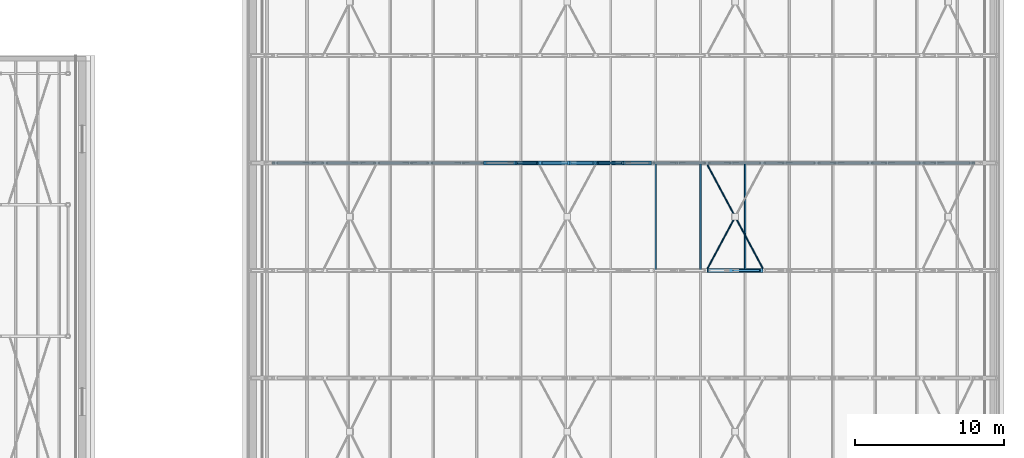
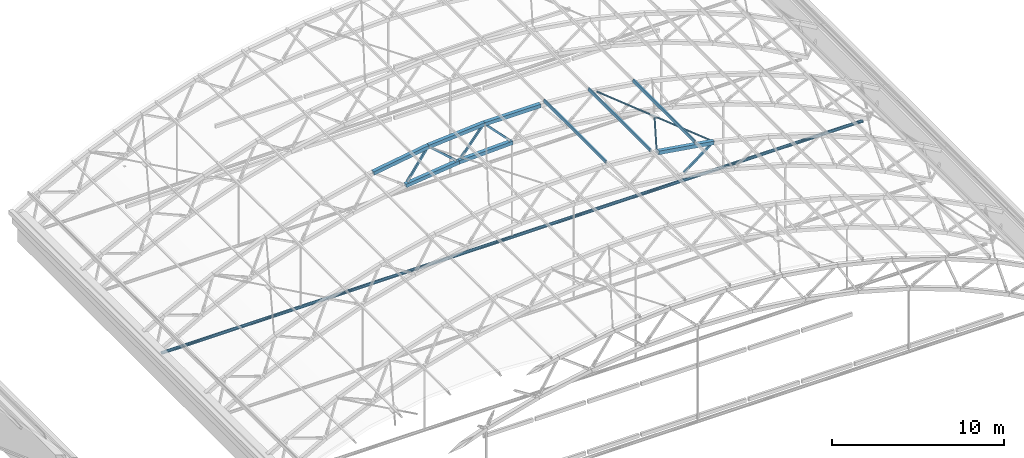
# One storey, part 56 of 127: 17 members.
"""IFC4 building model written with IfcOpenShell, lengths in metres."""

from ifc_helpers import new_model, si_unit, direction, frame, origin, origin_2d, place, context, subcontext, project, spatial, hollow_rectangle, hollow_circle, extrude, material, material_profile, profile_set, type_object, element, save


model = new_model("IFC4")

# Units and contexts
model_context = context("Model", 3, precision=1e-05, world=origin(), true_north=direction((0.0, 1.0)))
body_context = subcontext(model_context, "Body", "Model", "MODEL_VIEW")
ifc_project = project(units=[si_unit("LENGTHUNIT", "METRE"), si_unit("AREAUNIT", "SQUARE_METRE"), si_unit("VOLUMEUNIT", "CUBIC_METRE"), si_unit("PLANEANGLEUNIT", "RADIAN"), si_unit("MASSUNIT", "GRAM", prefix="KILO")], contexts=[model_context])

# Site, building, storey
site_placement = place(None, origin())
site = spatial("IfcSite", under=ifc_project, at=site_placement, CompositionType="ELEMENT")
building_placement = place(site_placement, origin())
building = spatial("IfcBuilding", under=site, at=building_placement, Name="Verrick Yard Athletic Hall", CompositionType="ELEMENT")
storey_placement = place(building_placement, frame((0.0, 0.0, 14.0)))
storey = spatial("IfcBuildingStorey", under=building, at=storey_placement, Name="L03", CompositionType="ELEMENT", Elevation=14.0)

# Members
ifc_material = material(Name="Structural steel HSS Class C 350W (CSA G40.20/G40.21)", Category="steel")
ifc_material_profile_1 = material_profile(ifc_material, hollow_rectangle(XDim=0.25390625, YDim=0.25390625, WallThickness=0.009521484375, at=origin_2d()), Name="HSS254x254x9.5")
ifc_profile_set_1 = profile_set([ifc_material_profile_1], Name="Structural steel HSS Class C 350W (CSA G40.20/G40.21)")
member_type_1 = type_object("IfcMemberType", Name="HB bottom chord HSS254x254x9.5", PredefinedType="CHORD", material=ifc_profile_set_1)
member_1_placement = place(storey_placement, frame((138.42041015625, 93.60009765625, 6.193359375), z_axis=(0.993094882284, 0.0, 0.117313915545), x_axis=(0.0, 1.0, 0.0)))
element("IfcMember", 1, at=member_1_placement, inside=storey, type_object=member_type_1, Name="Truss TA4 bottom chord 6", PredefinedType="CHORD", context=body_context, shape_type="SweptSolid", body=[
    extrude(hollow_rectangle(XDim=0.25390625, YDim=0.25390625, WallThickness=0.009521484375, at=origin_2d()), origin(), (0.0, 0.0, 1.0), 3.59619140625),
])
member_2_placement = place(storey_placement, frame((142.001708984375, 93.60009765625, 6.615966796875), z_axis=(0.999229759959, 0.0, 0.039241391579), x_axis=(0.0, 1.0, 0.0)))
element("IfcMember", 2, at=member_2_placement, inside=storey, type_object=member_type_1, Name="Truss TA4 bottom chord 7", PredefinedType="CHORD", context=body_context, shape_type="SweptSolid", body=[
    extrude(hollow_rectangle(XDim=0.25390625, YDim=0.25390625, WallThickness=0.009521484375, at=origin_2d()), origin(), (0.0, 0.0, 1.0), 3.595947265625),
])
ifc_material_profile_2 = material_profile(ifc_material, hollow_rectangle(XDim=0.1015625, YDim=0.203125, WallThickness=0.009521484375, at=origin_2d()), Name="HSS203x102x9.5")
ifc_profile_set_2 = profile_set([ifc_material_profile_2], Name="Structural steel HSS Class C 350W (CSA G40.20/G40.21)")
member_type_2 = type_object("IfcMemberType", Name="HB purlin HSS203x102x9.5", PredefinedType="PURLIN", material=ifc_profile_set_2)
for number, where, z_axis, x_axis, name in (
    (3, (147.77685546875, 86.39990234375, 8.92626953125), (0.0, 1.0, 0.0), (-0.996927304266, 0.0, 0.078332305011), "HB-PU-A-3-10"),
    (4, (150.767578125, 86.39990234375, 8.69140625), (0.0, 1.0, 0.0), (-0.996927304266, 0.0, 0.078332305011), "HB-PU-A-3-11"),
    (5, (153.7529296875, 86.39990234375, 8.258544921875), (0.0, 1.0, 0.0), (-0.987728086354, 0.0, 0.156183313539), "HB-PU-A-3-12"),
):
    element("IfcMember", number, at=place(storey_placement, frame(where, z_axis=z_axis, x_axis=x_axis)), inside=storey, type_object=member_type_2, Name=name, PredefinedType="PURLIN", context=body_context, shape_type="SweptSolid", body=[
        extrude(hollow_rectangle(XDim=0.1015625, YDim=0.203125, WallThickness=0.009521484375, at=origin_2d()), origin(), (0.0, 0.0, 1.0), 7.2001953125),
    ])
ifc_material_profile_3 = material_profile(ifc_material, hollow_circle(Radius=0.05712890625, WallThickness=0.00634765625, at=origin_2d()), Name="HSS114x6.4")
ifc_profile_set_3 = profile_set([ifc_material_profile_3], Name="Structural steel HSS Class C 350W (CSA G40.20/G40.21)")
member_type_3 = type_object("IfcMemberType", Name="HB roof brace HSS114x6.4", PredefinedType="BRACE", material=ifc_profile_set_3)
member_3_placement = place(storey_placement, frame((151.232666015625, 86.527099609375, 8.425537109375), z_axis=(0.470520782895, 0.879249593627, -0.074366289212), x_axis=(-0.881691001461, 0.471827275538, 0.0)))
element("IfcMember", 6, at=member_3_placement, inside=storey, type_object=member_type_3, Name="HB-BR-A-3-8b1", PredefinedType="BRACE", context=body_context, shape_type="SweptSolid", body=[
    extrude(hollow_circle(Radius=0.05712890625, WallThickness=0.00634765625, at=origin_2d()), origin(), (0.0, 0.0, 1.0), 3.84423828125),
])
member_4_placement = place(storey_placement, frame((154.949462890625, 86.527099609375, 7.837890625), z_axis=(-0.470503023648, 0.879257161244, 0.074389173537), x_axis=(-0.881700099166, -0.471810274506, 0.0)))
element("IfcMember", 7, at=member_4_placement, inside=storey, type_object=member_type_3, Name="HB-BR-A-3-8a", PredefinedType="BRACE", context=body_context, shape_type="SweptSolid", body=[
    extrude(hollow_circle(Radius=0.05712890625, WallThickness=0.00634765625, at=origin_2d()), origin(), (0.0, 0.0, 1.0), 7.899658203125),
])
ifc_material_profile_4 = material_profile(ifc_material, hollow_circle(Radius=0.109619140625, WallThickness=0.0126953125, at=origin_2d()), Name="HSS219x13")
ifc_profile_set_4 = profile_set([ifc_material_profile_4], Name="Structural steel HSS Class C 350W (CSA G40.20/G40.21)")
member_type_4 = type_object("IfcMemberType", Name="HB tie rod HSS219x13", PredefinedType="MEMBER", material=ifc_profile_set_4)
member_5_placement = place(storey_placement, frame((122.056396484375, 93.60009765625, 0.0), z_axis=(1.0, 0.0, 0.0), x_axis=(0.0, 1.0, 0.0)))
element("IfcMember", 8, at=member_5_placement, inside=storey, type_object=member_type_4, Name="Truss TA4 tie 1", PredefinedType="MEMBER", context=body_context, shape_type="SweptSolid", body=[
    extrude(hollow_circle(Radius=0.109619140625, WallThickness=0.0126953125, at=origin_2d()), origin(), (0.0, 0.0, 1.0), 47.08740234375),
])
ifc_material_profile_5 = material_profile(ifc_material, hollow_rectangle(XDim=0.25390625, YDim=0.25390625, WallThickness=0.009521484375, at=origin_2d()), Name="HSS254x254x9.5")
ifc_profile_set_5 = profile_set([ifc_material_profile_5], Name="Structural steel HSS Class C 350W (CSA G40.20/G40.21)")
member_type_5 = type_object("IfcMemberType", Name="HB top chord HSS254x254x9.5", PredefinedType="CHORD", material=ifc_profile_set_5)
for number, where, z_axis, x_axis, name in (
    (9, (151.237548828125, 86.39990234375, 8.4248046875), (0.987726014692, 0.0, -0.156196414495), (0.0, 1.0, 0.0), "Truss TA3 top chord 10"),
    (10, (136.255615234375, 93.60009765625, 7.838623046875), (0.987726014692, 0.0, 0.156196414495), (0.0, 1.0, 0.0), "Truss TA4 top chord 6"),
    (11, (139.97216796875, 93.60009765625, 8.426025390625), (0.996928028323, 0.0, 0.078323089468), (0.0, 1.0, 0.0), "Truss TA4 top chord 7"),
):
    element("IfcMember", number, at=place(storey_placement, frame(where, z_axis=z_axis, x_axis=x_axis)), inside=storey, type_object=member_type_5, Name=name, PredefinedType="CHORD", context=body_context, shape_type="SweptSolid", body=[
        extrude(hollow_rectangle(XDim=0.25390625, YDim=0.25390625, WallThickness=0.009521484375, at=origin_2d()), origin(), (0.0, 0.0, 1.0), 3.7529296875),
    ])
member_6_placement = place(storey_placement, frame((143.7236328125, 93.60009765625, 8.72021484375), z_axis=(1.0, 0.0, 0.0), x_axis=(0.0, 1.0, 0.0)))
element("IfcMember", 12, at=member_6_placement, inside=storey, type_object=member_type_5, Name="Truss TA4 top chord 8", PredefinedType="CHORD", context=body_context, shape_type="SweptSolid", body=[
    extrude(hollow_rectangle(XDim=0.25390625, YDim=0.25390625, WallThickness=0.009521484375, at=origin_2d()), origin(), (0.0, 0.0, 1.0), 3.752685546875),
])
ifc_material_profile_6 = material_profile(ifc_material, hollow_rectangle(XDim=0.126953125, YDim=0.126953125, WallThickness=0.009521484375, at=origin_2d()), Name="HSS127x127x9.5")
ifc_profile_set_6 = profile_set([ifc_material_profile_6], Name="Structural steel HSS Class C 350W (CSA G40.20/G40.21)")
member_type_6 = type_object("IfcMemberType", Name="HB truss web HSS127x127x9.5", PredefinedType="BRACE", material=ifc_profile_set_6)
member_7_placement = place(storey_placement, frame((152.982421875, 86.39990234375, 6.34326171875), z_axis=(0.796206425538, 0.0, 0.605025063887), x_axis=(0.0, 1.0, 0.0)))
element("IfcMember", 13, at=member_7_placement, inside=storey, type_object=member_type_6, Name="Truss TA3 web 19", PredefinedType="BRACE", context=body_context, shape_type="SweptSolid", body=[
    extrude(hollow_rectangle(XDim=0.126953125, YDim=0.126953125, WallThickness=0.009521484375, at=origin_2d()), origin(), (0.0, 0.0, 1.0), 2.2333984375),
])
for number, where, z_axis, x_axis, name in (
    (14, (138.5576171875, 93.60009765625, 6.39697265625), (0.570664111571, 0.0, 0.821183579819), (0.0, 1.0, 0.0), "Truss TA4 web 11"),
    (15, (140.14404296875, 93.60009765625, 8.26806640625), (0.746340924984, 0.0, -0.665563838932), (0.0, 1.0, 0.0), "Truss TA4 web 12"),
    (16, (142.154296875, 93.60009765625, 6.808349609375), (0.633202076169, 0.0, 0.773986518445), (0.0, 1.0, 0.0), "Truss TA4 web 13"),
    (17, (143.88232421875, 93.60009765625, 8.54931640625), (0.691974203846, 0.0, -0.721922226568), (0.0, 1.0, 0.0), "Truss TA4 web 14"),
):
    element("IfcMember", number, at=place(storey_placement, frame(where, z_axis=z_axis, x_axis=x_axis)), inside=storey, type_object=member_type_6, Name=name, PredefinedType="BRACE", context=body_context, shape_type="SweptSolid", body=[
        extrude(hollow_rectangle(XDim=0.126953125, YDim=0.126953125, WallThickness=0.009521484375, at=origin_2d()), origin(), (0.0, 0.0, 1.0), 2.233642578125),
    ])

save(model, "model.ifc")
